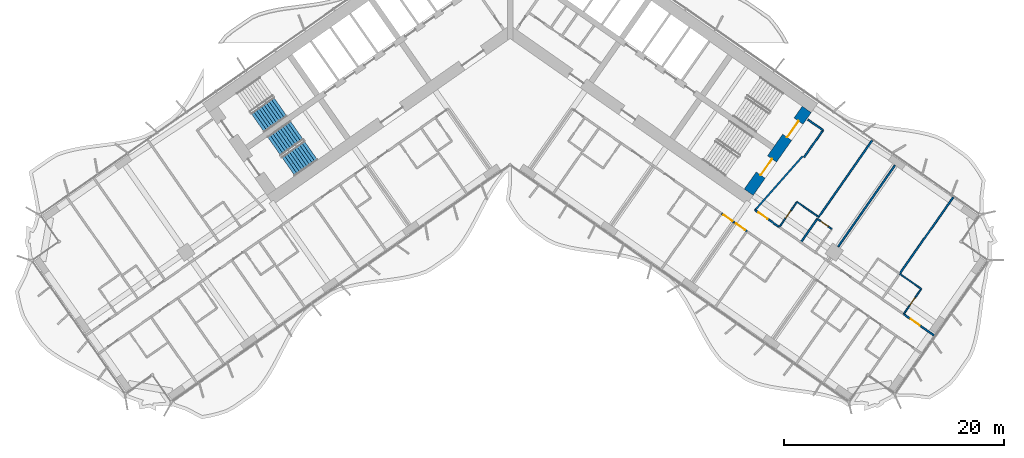
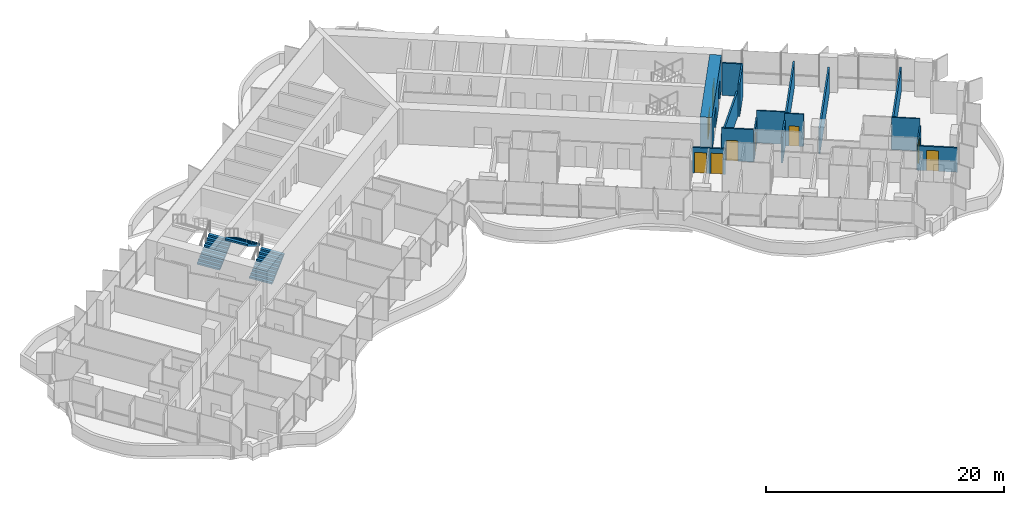
# One storey, part 18 of 25: 17 walls, 9 doors, 3 stair flights, 9 openings, 2 elements without a shape of their own.
"""IFC4 building model written with IfcOpenShell, lengths in metres."""

from ifc_helpers import new_model, si_unit, direction, frame, frame_2d, origin, place, context, subcontext, project, spatial, polyline, rectangle, outline, extrude, material, layer, layer_set, type_object, element, fill, aggregate, save


model = new_model("IFC4")

# Units and contexts
model_context = context("Model", 3, precision=1e-05, world=origin(), true_north=direction((0.0, 1.0)))
body_context = subcontext(model_context, "Body", "Model", "MODEL_VIEW")
ifc_project = project(units=[si_unit("LENGTHUNIT", "METRE"), si_unit("AREAUNIT", "SQUARE_METRE"), si_unit("VOLUMEUNIT", "CUBIC_METRE"), si_unit("PLANEANGLEUNIT", "RADIAN"), si_unit("MASSUNIT", "GRAM", prefix="KILO")], contexts=[model_context])

# Site, building, storey
site_placement = place(None, origin())
site = spatial("IfcSite", under=ifc_project, at=site_placement, CompositionType="ELEMENT")
building_placement = place(site_placement, origin())
building = spatial("IfcBuilding", under=site, at=building_placement, Name="Tel Ilan Convention Tower", CompositionType="ELEMENT")
storey_placement = place(building_placement, frame((0.0, 0.0, 61.699951171875)))
storey = spatial("IfcBuildingStorey", under=building, at=storey_placement, Name="L10", CompositionType="ELEMENT", Elevation=61.699951171875)

# Wall, openings, doors
ifc_material_1 = material(Name="Concrete C60/75", Category="concrete")
ifc_layer_1 = layer(ifc_material_1, 1.0)
ifc_layer_set_1 = layer_set([ifc_layer_1], Name="Core Shear Wall 1000 mm C60/75")
wall_type_1 = type_object("IfcWallType", Name="Core Shear Wall 1000 mm C60/75", PredefinedType="SHEAR", material=ifc_layer_set_1)
wall_1_placement = place(storey_placement, frame((21.70751953125, -15.19970703125, 0.0), z_axis=(0.0, 0.0, 1.0), x_axis=(0.573576324356, 0.819152122709, 0.0)))
wall_1 = element("IfcWall", 1, at=wall_1_placement, inside=storey, type_object=wall_type_1, Name="L10 core wall E-end", PredefinedType="SHEAR", context=body_context, shape_type="SweptSolid", body=[
    extrude(outline(polyline([(9.199951171875, 0.5), (0.0, 0.5), (0.0, -0.5), (9.199951171875, -0.5), (9.199951171875, 0.5)])), origin(), (0.0, 0.0, 1.0), 3.60009765625),
])
opening_1_placement = place(wall_1_placement, frame((6.10009765625, 0.0, 0.0)))
opening_1 = element("IfcOpeningElement", 2, at=opening_1_placement, cuts=wall_1, Name="Opening SD1103", PredefinedType="OPENING", context=body_context, shape_type="SweptSolid", body=[
    extrude(rectangle(XDim=1.800048828125, YDim=2.10009765625, at=frame_2d((0.89990234375, 1.050048828125))), frame((0.0, 0.510009765625, 0.0), z_axis=(0.0, -1.0, 0.0), x_axis=(1.0, 0.0, 0.0)), (0.0, 0.0, 1.0), 1.02001953125),
])
opening_2_placement = place(wall_1_placement, frame((1.89990234375, 0.0, 0.0)))
opening_2 = element("IfcOpeningElement", 3, at=opening_2_placement, cuts=wall_1, Name="Opening SD1104", PredefinedType="OPENING", context=body_context, shape_type="SweptSolid", body=[
    extrude(rectangle(XDim=1.800048828125, YDim=2.10009765625, at=frame_2d((0.89990234375, 1.050048828125))), frame((0.0, 0.510009765625, 0.0), z_axis=(0.0, -1.0, 0.0), x_axis=(1.0, 0.0, 0.0)), (0.0, 0.0, 1.0), 1.02001953125),
])
ifc_material_2 = material(Name="Galvanised Steel Door Leaf", Category="steel")
door_type_1 = type_object("IfcDoorType", Name="Stair Fire Door 1800 x 2100 FD60S", OperationType="NOTDEFINED", PredefinedType="DOOR", material=ifc_material_2)
door_1_placement = place(opening_1_placement, origin())
door_1 = element("IfcDoor", 4, at=door_1_placement, inside=storey, type_object=door_type_1, Name="Stair S3 door", OperationType="DOUBLE_DOOR_SINGLE_SWING", OverallHeight=2.10009765625, OverallWidth=1.800048828125, PredefinedType="DOOR", context=body_context, shape_type="SweptSolid", body=[
    extrude(rectangle(XDim=1.800048828125, YDim=2.10009765625, at=frame_2d((0.89990234375, 1.050048828125))), frame((0.0, 0.02490234375, 0.0), z_axis=(0.0, -1.0, 0.0), x_axis=(1.0, 0.0, 0.0)), (0.0, 0.0, 1.0), 0.050048828125),
])
fill(opening_1, door_1)
door_2_placement = place(opening_2_placement, origin())
door_2 = element("IfcDoor", 5, at=door_2_placement, inside=storey, type_object=door_type_1, Name="Stair S4 door", OperationType="DOUBLE_DOOR_SINGLE_SWING", OverallHeight=2.10009765625, OverallWidth=1.800048828125, PredefinedType="DOOR", context=body_context, shape_type="SweptSolid", body=[
    extrude(rectangle(XDim=1.800048828125, YDim=2.10009765625, at=frame_2d((0.89990234375, 1.050048828125))), frame((0.0, 0.02490234375, 0.0), z_axis=(0.0, -1.0, 0.0), x_axis=(1.0, 0.0, 0.0)), (0.0, 0.0, 1.0), 0.050048828125),
])
fill(opening_2, door_2)

# Wall, opening, door
ifc_material_3 = material(Name="Plasterboard on Steel Studs", Category="steel")
ifc_layer_2 = layer(ifc_material_3, 0.14990234375)
ifc_layer_set_2 = layer_set([ifc_layer_2], Name="Fire-rated Partition 150 EI 60")
wall_type_2 = type_object("IfcWallType", Name="Fire-rated Partition 150 EI 60", PredefinedType="PARTITIONING", material=ifc_layer_set_2)
wall_2_placement = place(storey_placement, frame((22.28369140625, -16.823974609375, 0.0), z_axis=(0.0, 0.0, 1.0), x_axis=(0.819176640776, -0.573541307325, 0.0)))
wall_2 = element("IfcWall", 6, at=wall_2_placement, inside=storey, type_object=wall_type_2, Name="Partition 001", PredefinedType="PARTITIONING", context=body_context, shape_type="SweptSolid", body=[
    extrude(rectangle(XDim=2.697509765625, YDim=0.14990234375, at=frame_2d((1.3486328125, 0.0))), origin(), (0.0, 0.0, 1.0), 3.320068359375),
])
opening_3_placement = place(wall_2_placement, frame((0.396240234375, 0.0, 0.0)))
opening_3 = element("IfcOpeningElement", 7, at=opening_3_placement, cuts=wall_2, Name="Opening L08-044", PredefinedType="OPENING", context=body_context, shape_type="SweptSolid", body=[
    extrude(rectangle(XDim=1.0, YDim=2.10009765625, at=frame_2d((0.5, 1.050048828125))), frame((0.0, 0.0849609375, 0.0), z_axis=(0.0, -1.0, 0.0), x_axis=(1.0, 0.0, 0.0)), (0.0, 0.0, 1.0), 0.169921875),
])
ifc_material_4 = material(Name="Timber Door Leaf in Steel Frame", Category="steel")
door_type_2 = type_object("IfcDoorType", Name="Hotel Room Entrance Fire Door 1000x2100", OperationType="NOTDEFINED", PredefinedType="DOOR", material=ifc_material_4)
door_3_placement = place(opening_3_placement, origin())
door_3 = element("IfcDoor", 8, at=door_3_placement, inside=storey, type_object=door_type_2, Name="Door L08-044", OperationType="SINGLE_SWING_RIGHT", OverallHeight=2.10009765625, OverallWidth=1.0, PredefinedType="DOOR", context=body_context, shape_type="SweptSolid", body=[
    extrude(rectangle(XDim=1.0, YDim=2.10009765625, at=frame_2d((0.5, 1.050048828125))), frame((0.0, 0.02490234375, 0.0), z_axis=(0.0, -1.0, 0.0), x_axis=(1.0, 0.0, 0.0)), (0.0, 0.0, 1.0), 0.050048828125),
])
fill(opening_3, door_3)

wall_3_placement = place(storey_placement, frame((35.7958984375, -26.285400390625, 0.0), z_axis=(0.0, 0.0, 1.0), x_axis=(0.819154345195, -0.573573150303, 0.0)))
wall_3 = element("IfcWall", 9, at=wall_3_placement, inside=storey, type_object=wall_type_2, Name="Partition 007", PredefinedType="PARTITIONING", context=body_context, shape_type="SweptSolid", body=[
    extrude(rectangle(XDim=3.40087890625, YDim=0.14990234375, at=frame_2d((1.700439453125, 0.0))), origin(), (0.0, 0.0, 1.0), 2.5),
])
opening_4_placement = place(wall_3_placement, frame((0.801025390625, 0.0, 0.0)))
opening_4 = element("IfcOpeningElement", 10, at=opening_4_placement, cuts=wall_3, Name="Opening L08-050", PredefinedType="OPENING", context=body_context, shape_type="SweptSolid", body=[
    extrude(rectangle(XDim=1.0, YDim=2.10009765625, at=frame_2d((0.5, 1.050048828125))), frame((0.0, 0.0849609375, 0.0), z_axis=(0.0, -1.0, 0.0), x_axis=(1.0, 0.0, 0.0)), (0.0, 0.0, 1.0), 0.169921875),
])
door_4_placement = place(opening_4_placement, origin())
door_4 = element("IfcDoor", 11, at=door_4_placement, inside=storey, type_object=door_type_2, Name="Door L08-050", OperationType="SINGLE_SWING_LEFT", OverallHeight=2.10009765625, OverallWidth=1.0, PredefinedType="DOOR", context=body_context, shape_type="SweptSolid", body=[
    extrude(rectangle(XDim=1.0, YDim=2.10009765625, at=frame_2d((0.5, 1.050048828125))), frame((0.0, 0.02490234375, 0.0), z_axis=(0.0, -1.0, 0.0), x_axis=(1.0, 0.0, 0.0)), (0.0, 0.0, 1.0), 0.050048828125),
])
fill(opening_4, door_4)

wall_4_placement = place(storey_placement, frame((20.39794921875, -17.9453125, 0.0), z_axis=(0.0, 0.0, 1.0), x_axis=(-0.819060210533, 0.573707566205, 0.0)))
wall_4 = element("IfcWall", 12, at=wall_4_placement, inside=storey, type_object=wall_type_2, Name="Partition 016", PredefinedType="PARTITIONING", context=body_context, shape_type="SweptSolid", body=[
    extrude(rectangle(XDim=1.403076171875, YDim=0.14990234375, at=frame_2d((0.70166015625, 0.0))), origin(), (0.0, 0.0, 1.0), 2.60009765625),
])
opening_5_placement = place(wall_4_placement, frame((0.201904296875, 0.0, 0.0)))
opening_5 = element("IfcOpeningElement", 13, at=opening_5_placement, cuts=wall_4, Name="Opening L08-031", PredefinedType="OPENING", context=body_context, shape_type="SweptSolid", body=[
    extrude(rectangle(XDim=1.0, YDim=2.10009765625, at=frame_2d((0.5, 1.050048828125))), frame((0.0, 0.0849609375, 0.0), z_axis=(0.0, -1.0, 0.0), x_axis=(1.0, 0.0, 0.0)), (0.0, 0.0, 1.0), 0.169921875),
])
door_5_placement = place(opening_5_placement, origin())
door_5 = element("IfcDoor", 14, at=door_5_placement, inside=storey, type_object=door_type_2, Name="Door L08-031", OperationType="SINGLE_SWING_RIGHT", OverallHeight=2.10009765625, OverallWidth=1.0, PredefinedType="DOOR", context=body_context, shape_type="SweptSolid", body=[
    extrude(rectangle(XDim=1.0, YDim=2.10009765625, at=frame_2d((0.5, 1.050048828125))), frame((0.0, 0.02490234375, 0.0), z_axis=(0.0, -1.0, 0.0), x_axis=(1.0, 0.0, 0.0)), (0.0, 0.0, 1.0), 0.050048828125),
])
fill(opening_5, door_5)

wall_5_placement = place(storey_placement, frame((21.5439453125, -18.74755859375, 0.0), z_axis=(0.0, 0.0, 1.0), x_axis=(-0.81914197737, 0.573590813132, 0.0)))
wall_5 = element("IfcWall", 15, at=wall_5_placement, inside=storey, type_object=wall_type_2, Name="Partition 018", PredefinedType="PARTITIONING", context=body_context, shape_type="SweptSolid", body=[
    extrude(rectangle(XDim=1.40283203125, YDim=0.14990234375, at=frame_2d((0.701416015625, 0.0))), origin(), (0.0, 0.0, 1.0), 2.60009765625),
])
opening_6_placement = place(wall_5_placement, frame((0.200927734375, 0.0, 0.0)))
opening_6 = element("IfcOpeningElement", 16, at=opening_6_placement, cuts=wall_5, Name="Opening L08-033", PredefinedType="OPENING", context=body_context, shape_type="SweptSolid", body=[
    extrude(rectangle(XDim=1.0, YDim=2.10009765625, at=frame_2d((0.5, 1.050048828125))), frame((0.0, 0.0849609375, 0.0), z_axis=(0.0, -1.0, 0.0), x_axis=(1.0, 0.0, 0.0)), (0.0, 0.0, 1.0), 0.169921875),
])
door_6_placement = place(opening_6_placement, origin())
door_6 = element("IfcDoor", 17, at=door_6_placement, inside=storey, type_object=door_type_2, Name="Door L08-033", OperationType="SINGLE_SWING_RIGHT", OverallHeight=2.10009765625, OverallWidth=1.0, PredefinedType="DOOR", context=body_context, shape_type="SweptSolid", body=[
    extrude(rectangle(XDim=1.0, YDim=2.10009765625, at=frame_2d((0.5, 1.050048828125))), frame((0.0, 0.02490234375, 0.0), z_axis=(0.0, -1.0, 0.0), x_axis=(1.0, 0.0, 0.0)), (0.0, 0.0, 1.0), 0.050048828125),
])
fill(opening_6, door_6)

# Walls
wall_6_placement = place(storey_placement, frame((32.93994140625, -10.49072265625, 0.0), z_axis=(0.0, 0.0, 1.0), x_axis=(-0.573593433868, -0.819140142237, 0.0)))
element("IfcWall", 18, at=wall_6_placement, inside=storey, type_object=wall_type_2, Name="Partition 053", PredefinedType="PARTITIONING", context=body_context, shape_type="SweptSolid", body=[
    extrude(rectangle(XDim=8.4990234375, YDim=0.14990234375, at=frame_2d((4.24951171875, 0.0))), origin(), (0.0, 0.0, 1.0), 2.60009765625),
])
wall_7_placement = place(storey_placement, frame((22.285400390625, -16.8251953125, 0.0), z_axis=(0.0, 0.0, 1.0), x_axis=(0.661551268245, 0.749899939647, 0.0)))
element("IfcWall", 19, at=wall_7_placement, inside=storey, type_object=wall_type_2, Name="Partition 054", PredefinedType="PARTITIONING", context=body_context, shape_type="SweptSolid", body=[
    extrude(rectangle(XDim=6.541015625, YDim=0.14990234375, at=frame_2d((3.2705078125, 0.0))), origin(), (0.0, 0.0, 1.0), 2.60009765625),
])
wall_8_placement = place(storey_placement, frame((26.74609375, -12.013671875, 0.0), z_axis=(0.0, 0.0, 1.0), x_axis=(0.573560650686, 0.819163097304, 0.0)))
element("IfcWall", 20, at=wall_8_placement, inside=storey, type_object=wall_type_2, Name="Partition 055", PredefinedType="PARTITIONING", context=body_context, shape_type="SweptSolid", body=[
    extrude(rectangle(XDim=3.0, YDim=0.14990234375, at=frame_2d((1.5, 0.0))), origin(), (0.0, 0.0, 1.0), 3.320068359375),
])
wall_9_placement = place(storey_placement, frame((28.466796875, -9.55615234375, 0.0), z_axis=(0.0, 0.0, 1.0), x_axis=(-0.819109000826, 0.573637903879, 0.0)))
element("IfcWall", 21, at=wall_9_placement, inside=storey, type_object=wall_type_2, Name="Partition 056", PredefinedType="PARTITIONING", context=body_context, shape_type="SweptSolid", body=[
    extrude(rectangle(XDim=1.679931640625, YDim=0.14990234375, at=frame_2d((0.83984375, 0.0))), origin(), (0.0, 0.0, 1.0), 3.320068359375),
])
wall_10_placement = place(storey_placement, frame((27.950927734375, -17.61572265625, 0.0), z_axis=(0.0, 0.0, 1.0), x_axis=(-0.573544201094, -0.819174614714, 0.0)))
element("IfcWall", 22, at=wall_10_placement, inside=storey, type_object=wall_type_2, Name="Partition 057", PredefinedType="PARTITIONING", context=body_context, shape_type="SweptSolid", body=[
    extrude(rectangle(XDim=2.60205078125, YDim=0.14990234375, at=frame_2d((1.301025390625, 0.0))), origin(), (0.0, 0.0, 1.0), 2.60009765625),
])
wall_11_placement = place(storey_placement, frame((35.012939453125, -12.76025390625, 0.0), z_axis=(0.0, 0.0, 1.0), x_axis=(-0.573558725113, -0.819164445546, 0.0)))
element("IfcWall", 23, at=wall_11_placement, inside=storey, type_object=wall_type_2, Name="Partition 060", PredefinedType="PARTITIONING", context=body_context, shape_type="SweptSolid", body=[
    extrude(rectangle(XDim=9.010009765625, YDim=0.14990234375, at=frame_2d((4.5048828125, 0.0))), origin(), (0.0, 0.0, 1.0), 2.60009765625),
])
wall_12_placement = place(storey_placement, frame((40.312255859375, -15.65283203125, 0.0), z_axis=(0.0, 0.0, 1.0), x_axis=(-0.573560662175, -0.81916308926, 0.0)))
element("IfcWall", 24, at=wall_12_placement, inside=storey, type_object=wall_type_2, Name="Partition 064", PredefinedType="PARTITIONING", context=body_context, shape_type="SweptSolid", body=[
    extrude(rectangle(XDim=8.4990234375, YDim=0.14990234375, at=frame_2d((4.24951171875, 0.0))), origin(), (0.0, 0.0, 1.0), 2.5),
])

# Wall, opening, door
ifc_material_5 = material(Name="Plasterboard on Steel Studs", Category="steel")
ifc_layer_3 = layer(ifc_material_5, 0.1201171875)
ifc_layer_set_3 = layer_set([ifc_layer_3], Name="Moisture-resistant Partition 120")
wall_type_3 = type_object("IfcWallType", Name="Moisture-resistant Partition 120", PredefinedType="PARTITIONING", material=ifc_layer_set_3)
wall_13_placement = place(storey_placement, frame((26.09765625, -16.076416015625, 0.0), z_axis=(0.0, 0.0, 1.0), x_axis=(-0.573550118428, -0.819170471667, 0.0)))
wall_13 = element("IfcWall", 25, at=wall_13_placement, inside=storey, type_object=wall_type_3, Name="Partition 051", PredefinedType="PARTITIONING", context=body_context, shape_type="SweptSolid", body=[
    extrude(rectangle(XDim=2.800048828125, YDim=0.1201171875, at=frame_2d((1.39990234375, 0.0))), origin(), (0.0, 0.0, 1.0), 2.60009765625),
])
opening_7_placement = place(wall_13_placement, frame((0.97509765625, 0.0, 0.0)))
opening_7 = element("IfcOpeningElement", 26, at=opening_7_placement, cuts=wall_13, Name="Opening L08-043", PredefinedType="OPENING", context=body_context, shape_type="SweptSolid", body=[
    extrude(rectangle(XDim=0.85009765625, YDim=2.050048828125, at=frame_2d((0.425048828125, 1.02490234375))), frame((0.0, 0.070068359375, 0.0), z_axis=(0.0, -1.0, 0.0), x_axis=(1.0, 0.0, 0.0)), (0.0, 0.0, 1.0), 0.14013671875),
])
ifc_material_6 = material(Name="Timber Door Leaf in Steel Frame", Category="steel")
door_type_3 = type_object("IfcDoorType", Name="Bathroom Timber Door 850x2050", OperationType="NOTDEFINED", PredefinedType="DOOR", material=ifc_material_6)
door_7_placement = place(opening_7_placement, origin())
door_7 = element("IfcDoor", 27, at=door_7_placement, inside=storey, type_object=door_type_3, Name="Door L08-043", OperationType="SINGLE_SWING_LEFT", OverallHeight=2.050048828125, OverallWidth=0.85009765625, PredefinedType="DOOR", context=body_context, shape_type="SweptSolid", body=[
    extrude(rectangle(XDim=0.85009765625, YDim=2.050048828125, at=frame_2d((0.425048828125, 1.02490234375))), frame((0.0, 0.02490234375, 0.0), z_axis=(0.0, -1.0, 0.0), x_axis=(1.0, 0.0, 0.0)), (0.0, 0.0, 1.0), 0.050048828125),
])
fill(opening_7, door_7)

# Wall
wall_14_placement = place(storey_placement, frame((28.06494140625, -17.45263671875, 0.0), z_axis=(0.0, 0.0, 1.0), x_axis=(-0.819155442668, 0.573571582932, 0.0)))
element("IfcWall", 28, at=wall_14_placement, inside=storey, type_object=wall_type_3, Name="Partition 052", PredefinedType="PARTITIONING", context=body_context, shape_type="SweptSolid", body=[
    extrude(rectangle(XDim=2.39990234375, YDim=0.1201171875, at=frame_2d((1.199951171875, 0.0))), origin(), (0.0, 0.0, 1.0), 3.320068359375),
])

# Wall, opening, door
wall_15_placement = place(storey_placement, frame((29.260986328125, -18.5341796875, 0.0), z_axis=(0.0, 0.0, 1.0), x_axis=(-0.819253425856, 0.573431621227, 0.0)))
wall_15 = element("IfcWall", 29, at=wall_15_placement, inside=storey, type_object=wall_type_3, Name="Partition 059", PredefinedType="PARTITIONING", context=body_context, shape_type="SweptSolid", body=[
    extrude(rectangle(XDim=1.60009765625, YDim=0.1201171875, at=frame_2d((0.800048828125, 0.0))), origin(), (0.0, 0.0, 1.0), 3.320068359375),
])
opening_8_placement = place(wall_15_placement, frame((0.375, 0.0, 0.0)))
opening_8 = element("IfcOpeningElement", 30, at=opening_8_placement, cuts=wall_15, Name="Opening L08-045", PredefinedType="OPENING", context=body_context, shape_type="SweptSolid", body=[
    extrude(rectangle(XDim=0.85009765625, YDim=2.050048828125, at=frame_2d((0.425048828125, 1.02490234375))), frame((0.0, 0.070068359375, 0.0), z_axis=(0.0, -1.0, 0.0), x_axis=(1.0, 0.0, 0.0)), (0.0, 0.0, 1.0), 0.14013671875),
])
door_8_placement = place(opening_8_placement, origin())
door_8 = element("IfcDoor", 31, at=door_8_placement, inside=storey, type_object=door_type_3, Name="Door L08-045", OperationType="SINGLE_SWING_LEFT", OverallHeight=2.050048828125, OverallWidth=0.85009765625, PredefinedType="DOOR", context=body_context, shape_type="SweptSolid", body=[
    extrude(rectangle(XDim=0.85009765625, YDim=2.050048828125, at=frame_2d((0.425048828125, 1.02490234375))), frame((0.0, 0.02490234375, 0.0), z_axis=(0.0, -1.0, 0.0), x_axis=(1.0, 0.0, 0.0)), (0.0, 0.0, 1.0), 0.050048828125),
])
fill(opening_8, door_8)

wall_16_placement = place(storey_placement, frame((35.797607421875, -26.28662109375, 0.0), z_axis=(0.0, 0.0, 1.0), x_axis=(0.573550118428, 0.819170471667, 0.0)))
wall_16 = element("IfcWall", 32, at=wall_16_placement, inside=storey, type_object=wall_type_3, Name="Partition 066", PredefinedType="PARTITIONING", context=body_context, shape_type="SweptSolid", body=[
    extrude(rectangle(XDim=2.800048828125, YDim=0.1201171875, at=frame_2d((1.39990234375, 0.0))), origin(), (0.0, 0.0, 1.0), 2.60009765625),
])
opening_9_placement = place(wall_16_placement, frame((0.97509765625, 0.0, 0.0)))
opening_9 = element("IfcOpeningElement", 33, at=opening_9_placement, cuts=wall_16, Name="Opening L08-049", PredefinedType="OPENING", context=body_context, shape_type="SweptSolid", body=[
    extrude(rectangle(XDim=0.85009765625, YDim=2.050048828125, at=frame_2d((0.425048828125, 1.02490234375))), frame((0.0, 0.070068359375, 0.0), z_axis=(0.0, -1.0, 0.0), x_axis=(1.0, 0.0, 0.0)), (0.0, 0.0, 1.0), 0.14013671875),
])
door_9_placement = place(opening_9_placement, origin())
door_9 = element("IfcDoor", 34, at=door_9_placement, inside=storey, type_object=door_type_3, Name="Door L08-049", OperationType="SINGLE_SWING_LEFT", OverallHeight=2.050048828125, OverallWidth=0.85009765625, PredefinedType="DOOR", context=body_context, shape_type="SweptSolid", body=[
    extrude(rectangle(XDim=0.85009765625, YDim=2.050048828125, at=frame_2d((0.425048828125, 1.02490234375))), frame((0.0, 0.02490234375, 0.0), z_axis=(0.0, -1.0, 0.0), x_axis=(1.0, 0.0, 0.0)), (0.0, 0.0, 1.0), 0.050048828125),
])
fill(opening_9, door_9)

# Wall
wall_17_placement = place(storey_placement, frame((37.4033203125, -23.991455078125, 0.0), z_axis=(0.0, 0.0, 1.0), x_axis=(-0.819155442668, 0.573571582932, 0.0)))
element("IfcWall", 35, at=wall_17_placement, inside=storey, type_object=wall_type_3, Name="Partition 067", PredefinedType="PARTITIONING", context=body_context, shape_type="SweptSolid", body=[
    extrude(rectangle(XDim=2.39990234375, YDim=0.1201171875, at=frame_2d((1.199951171875, 0.0))), origin(), (0.0, 0.0, 1.0), 3.320068359375),
])

# Stair, stair flight
ifc_material_7 = material(Name="Concrete C40/50", Category="concrete")
stair_type = type_object("IfcStairType", Name="Pressurised Exit Stair 20 risers 180 mm", PredefinedType="HALF_TURN_STAIR", material=ifc_material_7)
stair_1_placement = place(storey_placement, origin())
stair_1 = element("IfcStair", 36, at=stair_1_placement, inside=storey, type_object=stair_type, Name="L10 Pressurised Stair S1", PredefinedType="HALF_TURN_STAIR")
ifc_material_8 = material(Name="Precast Concrete C40/50", Category="concrete")
stair_flight_type = type_object("IfcStairFlightType", Name="Concrete Stair Flight 2100 mm 20 risers 180 mm", PredefinedType="STRAIGHT", material=ifc_material_8)
stair_flight_1_placement = place(storey_placement, frame((-22.9619140625, -8.87548828125, 0.0), z_axis=(0.0, 0.0, 1.0), x_axis=(0.819152044289, 0.573576436351, 0.0)))
stair_flight_1 = element("IfcStairFlight", 37, at=stair_flight_1_placement, type_object=stair_flight_type, Name="S1 flight 1", NumberOfRisers=10, NumberOfTreads=9, PredefinedType="STRAIGHT", RiserHeight=0.18, TreadLength=0.28, context=body_context, shape_type="SweptSolid", body=[
    extrude(outline(polyline([(0.0, 0.0), (0.0, 0.179931640625), (0.280029296875, 0.179931640625), (0.280029296875, 0.360107421875), (0.56005859375, 0.360107421875), (0.56005859375, 0.5400390625), (0.840087890625, 0.5400390625), (0.840087890625, 0.719970703125), (1.1201171875, 0.719970703125), (1.1201171875, 0.89990234375), (1.39990234375, 0.89990234375), (1.39990234375, 1.080078125), (1.679931640625, 1.080078125), (1.679931640625, 1.260009765625), (1.9599609375, 1.260009765625), (1.9599609375, 1.43994140625), (2.239990234375, 1.43994140625), (2.239990234375, 1.6201171875), (2.52001953125, 1.6201171875), (2.52001953125, 1.800048828125), (2.52001953125, 1.44189453125), (0.277099609375, 0.0), (0.0, 0.0)])), frame((0.0, -0.100341796875, 0.0), z_axis=(0.0, -1.0, 0.0), x_axis=(1.0, 0.0, 0.0)), (0.0, 0.0, 1.0), 0.94970703125),
    extrude(outline(polyline([(0.0, 0.0), (0.0, 0.179931640625), (0.280029296875, 0.179931640625), (0.280029296875, 0.360107421875), (0.56005859375, 0.360107421875), (0.56005859375, 0.5400390625), (0.840087890625, 0.5400390625), (0.840087890625, 0.719970703125), (1.1201171875, 0.719970703125), (1.1201171875, 0.89990234375), (1.39990234375, 0.89990234375), (1.39990234375, 1.080078125), (1.679931640625, 1.080078125), (1.679931640625, 1.260009765625), (1.9599609375, 1.260009765625), (1.9599609375, 1.43994140625), (2.239990234375, 1.43994140625), (2.239990234375, 1.6201171875), (2.52001953125, 1.6201171875), (2.52001953125, 1.800048828125), (2.52001953125, 1.44189453125), (0.277099609375, 0.0), (0.0, 0.0)])), frame((0.0, -0.000244140625, 0.0), z_axis=(0.0, -1.0, 0.0), x_axis=(1.0, 0.0, 0.0)), (0.0, 0.0, 1.0), 0.099609375),
    extrude(outline(polyline([(0.0, 0.0), (0.0, 0.179931640625), (0.280029296875, 0.179931640625), (0.280029296875, 0.360107421875), (0.56005859375, 0.360107421875), (0.56005859375, 0.5400390625), (0.840087890625, 0.5400390625), (0.840087890625, 0.719970703125), (1.1201171875, 0.719970703125), (1.1201171875, 0.89990234375), (1.39990234375, 0.89990234375), (1.39990234375, 1.080078125), (1.679931640625, 1.080078125), (1.679931640625, 1.260009765625), (1.9599609375, 1.260009765625), (1.9599609375, 1.43994140625), (2.239990234375, 1.43994140625), (2.239990234375, 1.6201171875), (2.52001953125, 1.6201171875), (2.52001953125, 1.800048828125), (2.52001953125, 1.44189453125), (0.277099609375, 0.0), (0.0, 0.0)])), frame((0.0, 0.099853515625, 0.0), z_axis=(0.0, -1.0, 0.0), x_axis=(1.0, 0.0, 0.0)), (0.0, 0.0, 1.0), 0.099609375),
    extrude(outline(polyline([(0.0, 0.0), (0.0, 0.179931640625), (0.280029296875, 0.179931640625), (0.280029296875, 0.360107421875), (0.56005859375, 0.360107421875), (0.56005859375, 0.5400390625), (0.840087890625, 0.5400390625), (0.840087890625, 0.719970703125), (1.1201171875, 0.719970703125), (1.1201171875, 0.89990234375), (1.39990234375, 0.89990234375), (1.39990234375, 1.080078125), (1.679931640625, 1.080078125), (1.679931640625, 1.260009765625), (1.9599609375, 1.260009765625), (1.9599609375, 1.43994140625), (2.239990234375, 1.43994140625), (2.239990234375, 1.6201171875), (2.52001953125, 1.6201171875), (2.52001953125, 1.800048828125), (2.52001953125, 1.44189453125), (0.277099609375, 0.0), (0.0, 0.0)])), frame((0.0, 1.050048828125, 0.0), z_axis=(0.0, -1.0, 0.0), x_axis=(1.0, 0.0, 0.0)), (0.0, 0.0, 1.0), 0.94970703125),
])
aggregate(stair_1, [stair_flight_1])

# Stair, stair flights
stair_2_placement = place(storey_placement, origin())
stair_2 = element("IfcStair", 38, at=stair_2_placement, inside=storey, type_object=stair_type, Name="L10 Pressurised Stair S2", PredefinedType="HALF_TURN_STAIR")
stair_flight_2_placement = place(storey_placement, frame((-20.179931640625, -12.848388671875, 0.0), z_axis=(0.0, 0.0, 1.0), x_axis=(0.819152044289, 0.573576436351, 0.0)))
stair_flight_2 = element("IfcStairFlight", 39, at=stair_flight_2_placement, type_object=stair_flight_type, Name="S2 flight 1", NumberOfRisers=10, NumberOfTreads=9, PredefinedType="STRAIGHT", RiserHeight=0.18, TreadLength=0.28, context=body_context, shape_type="SweptSolid", body=[
    extrude(outline(polyline([(0.0, 0.0), (0.0, 0.179931640625), (0.280029296875, 0.179931640625), (0.280029296875, 0.360107421875), (0.56005859375, 0.360107421875), (0.56005859375, 0.5400390625), (0.840087890625, 0.5400390625), (0.840087890625, 0.719970703125), (1.1201171875, 0.719970703125), (1.1201171875, 0.89990234375), (1.39990234375, 0.89990234375), (1.39990234375, 1.080078125), (1.679931640625, 1.080078125), (1.679931640625, 1.260009765625), (1.9599609375, 1.260009765625), (1.9599609375, 1.43994140625), (2.239990234375, 1.43994140625), (2.239990234375, 1.6201171875), (2.52001953125, 1.6201171875), (2.52001953125, 1.800048828125), (2.52001953125, 1.44189453125), (0.277099609375, 0.0), (0.0, 0.0)])), frame((0.0, -0.100341796875, 0.0), z_axis=(0.0, -1.0, 0.0), x_axis=(1.0, 0.0, 0.0)), (0.0, 0.0, 1.0), 0.94970703125),
    extrude(outline(polyline([(0.0, 0.0), (0.0, 0.179931640625), (0.280029296875, 0.179931640625), (0.280029296875, 0.360107421875), (0.56005859375, 0.360107421875), (0.56005859375, 0.5400390625), (0.840087890625, 0.5400390625), (0.840087890625, 0.719970703125), (1.1201171875, 0.719970703125), (1.1201171875, 0.89990234375), (1.39990234375, 0.89990234375), (1.39990234375, 1.080078125), (1.679931640625, 1.080078125), (1.679931640625, 1.260009765625), (1.9599609375, 1.260009765625), (1.9599609375, 1.43994140625), (2.239990234375, 1.43994140625), (2.239990234375, 1.6201171875), (2.52001953125, 1.6201171875), (2.52001953125, 1.800048828125), (2.52001953125, 1.44189453125), (0.277099609375, 0.0), (0.0, 0.0)])), frame((0.0, -0.000244140625, 0.0), z_axis=(0.0, -1.0, 0.0), x_axis=(1.0, 0.0, 0.0)), (0.0, 0.0, 1.0), 0.099609375),
    extrude(outline(polyline([(0.0, 0.0), (0.0, 0.179931640625), (0.280029296875, 0.179931640625), (0.280029296875, 0.360107421875), (0.56005859375, 0.360107421875), (0.56005859375, 0.5400390625), (0.840087890625, 0.5400390625), (0.840087890625, 0.719970703125), (1.1201171875, 0.719970703125), (1.1201171875, 0.89990234375), (1.39990234375, 0.89990234375), (1.39990234375, 1.080078125), (1.679931640625, 1.080078125), (1.679931640625, 1.260009765625), (1.9599609375, 1.260009765625), (1.9599609375, 1.43994140625), (2.239990234375, 1.43994140625), (2.239990234375, 1.6201171875), (2.52001953125, 1.6201171875), (2.52001953125, 1.800048828125), (2.52001953125, 1.44189453125), (0.277099609375, 0.0), (0.0, 0.0)])), frame((0.0, 0.099853515625, 0.0), z_axis=(0.0, -1.0, 0.0), x_axis=(1.0, 0.0, 0.0)), (0.0, 0.0, 1.0), 0.099609375),
    extrude(outline(polyline([(0.0, 0.0), (0.0, 0.179931640625), (0.280029296875, 0.179931640625), (0.280029296875, 0.360107421875), (0.56005859375, 0.360107421875), (0.56005859375, 0.5400390625), (0.840087890625, 0.5400390625), (0.840087890625, 0.719970703125), (1.1201171875, 0.719970703125), (1.1201171875, 0.89990234375), (1.39990234375, 0.89990234375), (1.39990234375, 1.080078125), (1.679931640625, 1.080078125), (1.679931640625, 1.260009765625), (1.9599609375, 1.260009765625), (1.9599609375, 1.43994140625), (2.239990234375, 1.43994140625), (2.239990234375, 1.6201171875), (2.52001953125, 1.6201171875), (2.52001953125, 1.800048828125), (2.52001953125, 1.44189453125), (0.277099609375, 0.0), (0.0, 0.0)])), frame((0.0, 1.050048828125, 0.0), z_axis=(0.0, -1.0, 0.0), x_axis=(1.0, 0.0, 0.0)), (0.0, 0.0, 1.0), 0.94970703125),
])
stair_flight_3_placement = place(storey_placement, frame((-19.40625, -9.559814453125, 1.800048828125), z_axis=(0.0, 0.0, 1.0), x_axis=(-0.819152044289, -0.573576436351, 0.0)))
stair_flight_3 = element("IfcStairFlight", 40, at=stair_flight_3_placement, type_object=stair_flight_type, Name="S2 flight 2", NumberOfRisers=10, NumberOfTreads=9, PredefinedType="STRAIGHT", RiserHeight=0.18, TreadLength=0.28, context=body_context, shape_type="SweptSolid", body=[
    extrude(outline(polyline([(0.0, 0.0), (0.0, 0.179931640625), (0.280029296875, 0.179931640625), (0.280029296875, 0.360107421875), (0.56005859375, 0.360107421875), (0.56005859375, 0.5400390625), (0.840087890625, 0.5400390625), (0.840087890625, 0.719970703125), (1.1201171875, 0.719970703125), (1.1201171875, 0.89990234375), (1.39990234375, 0.89990234375), (1.39990234375, 1.080078125), (1.679931640625, 1.080078125), (1.679931640625, 1.260009765625), (1.9599609375, 1.260009765625), (1.9599609375, 1.43994140625), (2.239990234375, 1.43994140625), (2.239990234375, 1.6201171875), (2.52001953125, 1.6201171875), (2.52001953125, 1.800048828125), (2.52001953125, 1.44189453125), (0.277099609375, 0.0), (0.0, 0.0)])), frame((0.0, -0.100341796875, 0.0), z_axis=(0.0, -1.0, 0.0), x_axis=(1.0, 0.0, 0.0)), (0.0, 0.0, 1.0), 0.94970703125),
    extrude(outline(polyline([(0.0, 0.0), (0.0, 0.179931640625), (0.280029296875, 0.179931640625), (0.280029296875, 0.360107421875), (0.56005859375, 0.360107421875), (0.56005859375, 0.5400390625), (0.840087890625, 0.5400390625), (0.840087890625, 0.719970703125), (1.1201171875, 0.719970703125), (1.1201171875, 0.89990234375), (1.39990234375, 0.89990234375), (1.39990234375, 1.080078125), (1.679931640625, 1.080078125), (1.679931640625, 1.260009765625), (1.9599609375, 1.260009765625), (1.9599609375, 1.43994140625), (2.239990234375, 1.43994140625), (2.239990234375, 1.6201171875), (2.52001953125, 1.6201171875), (2.52001953125, 1.800048828125), (2.52001953125, 1.44189453125), (0.277099609375, 0.0), (0.0, 0.0)])), frame((0.0, -0.000244140625, 0.0), z_axis=(0.0, -1.0, 0.0), x_axis=(1.0, 0.0, 0.0)), (0.0, 0.0, 1.0), 0.099609375),
    extrude(outline(polyline([(0.0, 0.0), (0.0, 0.179931640625), (0.280029296875, 0.179931640625), (0.280029296875, 0.360107421875), (0.56005859375, 0.360107421875), (0.56005859375, 0.5400390625), (0.840087890625, 0.5400390625), (0.840087890625, 0.719970703125), (1.1201171875, 0.719970703125), (1.1201171875, 0.89990234375), (1.39990234375, 0.89990234375), (1.39990234375, 1.080078125), (1.679931640625, 1.080078125), (1.679931640625, 1.260009765625), (1.9599609375, 1.260009765625), (1.9599609375, 1.43994140625), (2.239990234375, 1.43994140625), (2.239990234375, 1.6201171875), (2.52001953125, 1.6201171875), (2.52001953125, 1.800048828125), (2.52001953125, 1.44189453125), (0.277099609375, 0.0), (0.0, 0.0)])), frame((0.0, 0.099853515625, 0.0), z_axis=(0.0, -1.0, 0.0), x_axis=(1.0, 0.0, 0.0)), (0.0, 0.0, 1.0), 0.099609375),
    extrude(outline(polyline([(0.0, 0.0), (0.0, 0.179931640625), (0.280029296875, 0.179931640625), (0.280029296875, 0.360107421875), (0.56005859375, 0.360107421875), (0.56005859375, 0.5400390625), (0.840087890625, 0.5400390625), (0.840087890625, 0.719970703125), (1.1201171875, 0.719970703125), (1.1201171875, 0.89990234375), (1.39990234375, 0.89990234375), (1.39990234375, 1.080078125), (1.679931640625, 1.080078125), (1.679931640625, 1.260009765625), (1.9599609375, 1.260009765625), (1.9599609375, 1.43994140625), (2.239990234375, 1.43994140625), (2.239990234375, 1.6201171875), (2.52001953125, 1.6201171875), (2.52001953125, 1.800048828125), (2.52001953125, 1.44189453125), (0.277099609375, 0.0), (0.0, 0.0)])), frame((0.0, 1.050048828125, 0.0), z_axis=(0.0, -1.0, 0.0), x_axis=(1.0, 0.0, 0.0)), (0.0, 0.0, 1.0), 0.94970703125),
])
aggregate(stair_2, [stair_flight_2, stair_flight_3])

save(model, "model.ifc")
